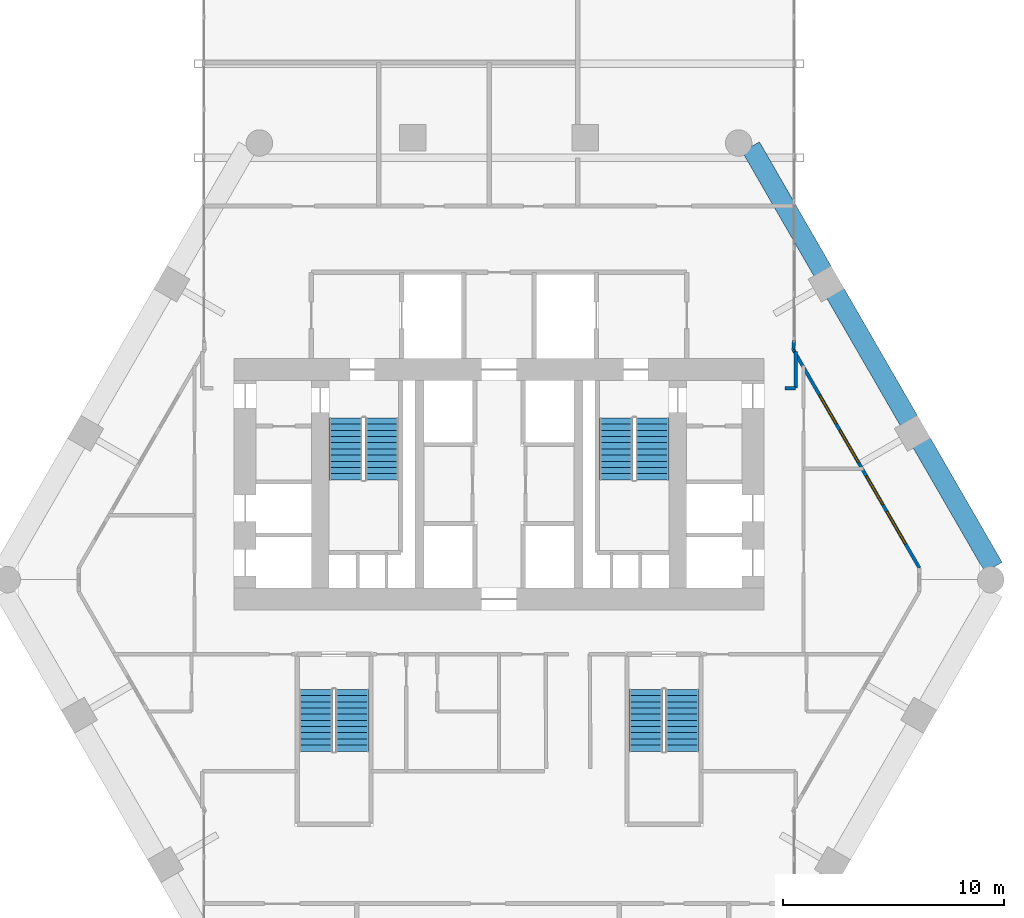
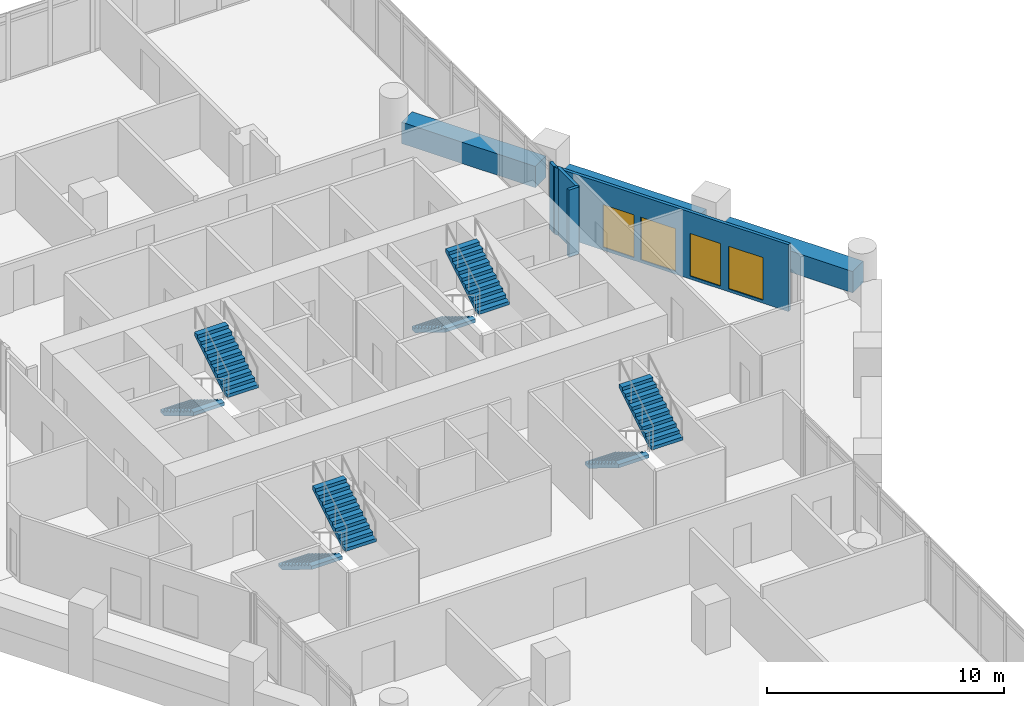
# One storey, part 27 of 28: 8 stair flights, 7 walls, 4 windows, 4 openings, 4 elements without a shape of their own.
"""IFC4 building model written with IfcOpenShell, lengths in metres."""

from ifc_helpers import new_model, si_unit, direction, frame, frame_2d, origin, place, context, subcontext, project, spatial, polyline, rectangle, outline, extrude, material, layer, layer_set, type_object, element, fill, aggregate, save


model = new_model("IFC4")

# Units and contexts
model_context = context("Model", 3, precision=1e-05, world=origin(), true_north=direction((0.0, 1.0)))
body_context = subcontext(model_context, "Body", "Model", "MODEL_VIEW")
ifc_project = project(units=[si_unit("LENGTHUNIT", "METRE"), si_unit("AREAUNIT", "SQUARE_METRE"), si_unit("VOLUMEUNIT", "CUBIC_METRE"), si_unit("PLANEANGLEUNIT", "RADIAN"), si_unit("MASSUNIT", "GRAM", prefix="KILO")], contexts=[model_context])

# Site, building, storey
site_placement = place(None, origin())
site = spatial("IfcSite", under=ifc_project, at=site_placement, CompositionType="ELEMENT")
building_placement = place(site_placement, origin())
building = spatial("IfcBuilding", under=site, at=building_placement, Name="Ostrander Bayou Hotel Tower", CompositionType="ELEMENT")
storey_placement = place(building_placement, frame((0.0, 0.0, 100.5)))
storey = spatial("IfcBuildingStorey", under=building, at=storey_placement, Name="L25", CompositionType="ELEMENT", Elevation=100.5)

# Wall, openings, windows
ifc_material_1 = material(Name="Aluminium framed insulated wall", Category="aluminium")
ifc_layer_1 = layer(ifc_material_1, 0.14990234375)
ifc_layer_set_1 = layer_set([ifc_layer_1], Name="GW1 glass-line wall 150 mm")
wall_type_1 = type_object("IfcWallType", Name="GW1 glass-line wall 150 mm", PredefinedType="SOLIDWALL", material=ifc_layer_set_1)
wall_1_placement = place(storey_placement, frame((19.046875, 0.205078125, 0.0), z_axis=(0.0, 0.0, 1.0), x_axis=(-0.499990645009, 0.866030804823, 0.0)))
wall_1 = element("IfcWall", 1, at=wall_1_placement, inside=storey, type_object=wall_type_1, Name="GW1 L25 NE 1", PredefinedType="SOLIDWALL", context=body_context, shape_type="SweptSolid", body=[
    extrude(rectangle(XDim=11.426025390625, YDim=0.14990234375, at=frame_2d((5.712890625, 0.0))), origin(), (0.0, 0.0, 1.0), 3.449951171875),
])
opening_1_placement = place(wall_1_placement, frame((1.24560546875, 0.0, 0.14990234375)))
opening_1 = element("IfcOpeningElement", 2, at=opening_1_placement, cuts=wall_1, Name="Opening W8", PredefinedType="OPENING", context=body_context, shape_type="SweptSolid", body=[
    extrude(rectangle(XDim=1.699951171875, YDim=2.199951171875, at=frame_2d((0.85009765625, 1.10009765625))), frame((0.0, 0.074951171875, 0.0), z_axis=(0.0, -1.0, 0.0), x_axis=(1.0, 0.0, 0.0)), (0.0, 0.0, 1.0), 0.14990234375),
])
opening_2_placement = place(wall_1_placement, frame((3.314208984375, 0.0, 0.14990234375)))
opening_2 = element("IfcOpeningElement", 3, at=opening_2_placement, cuts=wall_1, Name="Opening W12", PredefinedType="OPENING", context=body_context, shape_type="SweptSolid", body=[
    extrude(rectangle(XDim=1.5, YDim=2.199951171875, at=frame_2d((0.75, 1.10009765625))), frame((0.0, 0.074951171875, 0.0), z_axis=(0.0, -1.0, 0.0), x_axis=(1.0, 0.0, 0.0)), (0.0, 0.0, 1.0), 0.14990234375),
])
opening_3_placement = place(wall_1_placement, frame((5.51416015625, 0.0, 0.14990234375)))
opening_3 = element("IfcOpeningElement", 4, at=opening_3_placement, cuts=wall_1, Name="Opening W8", PredefinedType="OPENING", context=body_context, shape_type="SweptSolid", body=[
    extrude(rectangle(XDim=1.699951171875, YDim=2.199951171875, at=frame_2d((0.85009765625, 1.10009765625))), frame((0.0, 0.074951171875, 0.0), z_axis=(0.0, -1.0, 0.0), x_axis=(1.0, 0.0, 0.0)), (0.0, 0.0, 1.0), 0.14990234375),
])
opening_4_placement = place(wall_1_placement, frame((7.545654296875, 0.0, 0.14990234375)))
opening_4 = element("IfcOpeningElement", 5, at=opening_4_placement, cuts=wall_1, Name="Opening W12", PredefinedType="OPENING", context=body_context, shape_type="SweptSolid", body=[
    extrude(rectangle(XDim=1.5, YDim=2.199951171875, at=frame_2d((0.75, 1.10009765625))), frame((0.0, 0.074951171875, 0.0), z_axis=(0.0, -1.0, 0.0), x_axis=(1.0, 0.0, 0.0)), (0.0, 0.0, 1.0), 0.14990234375),
])
ifc_material_2 = material(Name="Aluminium and clear glass", Category="aluminium")
window_type_1 = type_object("IfcWindowType", Name="W12 fixed window 1500 mm, bath bay, zone 2", PartitioningType="SINGLE_PANEL", PredefinedType="WINDOW", material=ifc_material_2)
window_1_placement = place(opening_2_placement, origin())
window_1 = element("IfcWindow", 6, at=window_1_placement, inside=storey, type_object=window_type_1, Name="W12 L25 NE 1", OverallHeight=2.199951171875, OverallWidth=1.5, PartitioningType="SINGLE_PANEL", PredefinedType="WINDOW", context=body_context, shape_type="SweptSolid", body=[
    extrude(rectangle(XDim=1.5, YDim=2.199951171875, at=frame_2d((0.75, 1.10009765625))), frame((0.0, 0.030029296875, 0.0), z_axis=(0.0, -1.0, 0.0), x_axis=(1.0, 0.0, 0.0)), (0.0, 0.0, 1.0), 0.06005859375),
])
fill(opening_2, window_1)
window_2_placement = place(opening_4_placement, origin())
window_2 = element("IfcWindow", 7, at=window_2_placement, inside=storey, type_object=window_type_1, Name="W12 L25 NE 2", OverallHeight=2.199951171875, OverallWidth=1.5, PartitioningType="SINGLE_PANEL", PredefinedType="WINDOW", context=body_context, shape_type="SweptSolid", body=[
    extrude(rectangle(XDim=1.5, YDim=2.199951171875, at=frame_2d((0.75, 1.10009765625))), frame((0.0, 0.030029296875, 0.0), z_axis=(0.0, -1.0, 0.0), x_axis=(1.0, 0.0, 0.0)), (0.0, 0.0, 1.0), 0.06005859375),
])
fill(opening_4, window_2)
ifc_material_3 = material(Name="Aluminium and clear glass", Category="aluminium")
window_type_2 = type_object("IfcWindowType", Name="W8 fixed window 1700 mm, bar storeys, zone 2", PartitioningType="SINGLE_PANEL", PredefinedType="WINDOW", material=ifc_material_3)
window_3_placement = place(opening_1_placement, origin())
window_3 = element("IfcWindow", 8, at=window_3_placement, inside=storey, type_object=window_type_2, Name="W8 L25 NE 1", OverallHeight=2.199951171875, OverallWidth=1.699951171875, PartitioningType="SINGLE_PANEL", PredefinedType="WINDOW", context=body_context, shape_type="SweptSolid", body=[
    extrude(rectangle(XDim=1.699951171875, YDim=2.199951171875, at=frame_2d((0.85009765625, 1.10009765625))), frame((0.0, 0.030029296875, 0.0), z_axis=(0.0, -1.0, 0.0), x_axis=(1.0, 0.0, 0.0)), (0.0, 0.0, 1.0), 0.06005859375),
])
fill(opening_1, window_3)
window_4_placement = place(opening_3_placement, origin())
window_4 = element("IfcWindow", 9, at=window_4_placement, inside=storey, type_object=window_type_2, Name="W8 L25 NE 2", OverallHeight=2.199951171875, OverallWidth=1.699951171875, PartitioningType="SINGLE_PANEL", PredefinedType="WINDOW", context=body_context, shape_type="SweptSolid", body=[
    extrude(rectangle(XDim=1.699951171875, YDim=2.199951171875, at=frame_2d((0.85009765625, 1.10009765625))), frame((0.0, 0.030029296875, 0.0), z_axis=(0.0, -1.0, 0.0), x_axis=(1.0, 0.0, 0.0)), (0.0, 0.0, 1.0), 0.06005859375),
])
fill(opening_3, window_4)

# Walls
wall_2_placement = place(storey_placement, frame((13.333984375, 10.100341796875, 0.0), z_axis=(0.0, 0.0, 1.0), x_axis=(0.078869316502, 0.996884963732, 0.0)))
element("IfcWall", 10, at=wall_2_placement, inside=storey, type_object=wall_type_1, Name="GW1 L25 bar joint 4", PredefinedType="SOLIDWALL", context=body_context, shape_type="SweptSolid", body=[
    extrude(rectangle(XDim=0.4208984375, YDim=0.14990234375, at=frame_2d((0.21044921875, 0.0))), origin(), (0.0, 0.0, 1.0), 3.449951171875),
])
ifc_material_4 = material(Name="Concrete f'c 40 MPa", Category="concrete")
ifc_layer_2 = layer(ifc_material_4, 0.89990234375)
ifc_layer_set_2 = layer_set([ifc_layer_2], Name="PA1 stone-faced parapet 900 mm")
wall_type_2 = type_object("IfcWallType", Name="PA1 stone-faced parapet 900 mm", PredefinedType="PARAPET", material=ifc_layer_set_2)
wall_3_placement = place(storey_placement, frame((22.406494140625, 0.236328125, 0.0), z_axis=(0.0, 0.0, 1.0), x_axis=(-0.500000042739, 0.866025379109, 0.0)))
element("IfcWall", 11, at=wall_3_placement, inside=storey, type_object=wall_type_2, Name="PA1 L25 NE-1", PredefinedType="PARAPET", context=body_context, shape_type="SweptSolid", body=[
    extrude(rectangle(XDim=6.52197265625, YDim=0.89990234375, at=frame_2d((3.260986328125, 0.0))), origin(), (0.0, 0.0, 1.0), 1.10009765625),
])
wall_4_placement = place(storey_placement, frame((18.575439453125, 6.87158203125, 0.0), z_axis=(0.0, 0.0, 1.0), x_axis=(-0.499999023957, 0.866025967302, 0.0)))
element("IfcWall", 12, at=wall_4_placement, inside=storey, type_object=wall_type_2, Name="PA1 L25 NE-2", PredefinedType="PARAPET", context=body_context, shape_type="SweptSolid", body=[
    extrude(rectangle(XDim=6.67333984375, YDim=0.89990234375, at=frame_2d((3.336669921875, 0.0))), origin(), (0.0, 0.0, 1.0), 1.10009765625),
])
wall_5_placement = place(storey_placement, frame((14.668701171875, 13.63818359375, 0.0), z_axis=(0.0, 0.0, 1.0), x_axis=(-0.499971966783, 0.866041588165, 0.0)))
element("IfcWall", 13, at=wall_5_placement, inside=storey, type_object=wall_type_2, Name="PA1 L25 NE-3", PredefinedType="PARAPET", context=body_context, shape_type="SweptSolid", body=[
    extrude(rectangle(XDim=6.521728515625, YDim=0.89990234375, at=frame_2d((3.2607421875, 0.0))), origin(), (0.0, 0.0, 1.0), 1.10009765625),
])
ifc_material_5 = material(Name="Gypsum board partition", Category="finish")
ifc_layer_3 = layer(ifc_material_5, 0.14990234375)
ifc_layer_set_3 = layer_set([ifc_layer_3], Name="PT8 service band wall 150 mm, 1 hour")
wall_type_3 = type_object("IfcWallType", Name="PT8 service band wall 150 mm, 1 hour", PredefinedType="PARTITIONING", material=ifc_layer_set_3)
wall_6_placement = place(storey_placement, frame((12.949951171875, 8.35498046875, 0.0), z_axis=(0.0, 0.0, 1.0), x_axis=(1.0, 0.0, 0.0)))
element("IfcWall", 14, at=wall_6_placement, inside=storey, type_object=wall_type_3, Name="gw:L25:014", PredefinedType="PARTITIONING", context=body_context, shape_type="SweptSolid", body=[
    extrude(rectangle(XDim=0.489990234375, YDim=0.14990234375, at=frame_2d((0.2451171875, 0.0))), origin(), (0.0, 0.0, 1.0), 3.449951171875),
])
wall_7_placement = place(storey_placement, frame((13.43994140625, 8.35498046875, 0.0), z_axis=(0.0, 0.0, 1.0), x_axis=(0.0, 1.0, 0.0)))
element("IfcWall", 15, at=wall_7_placement, inside=storey, type_object=wall_type_3, Name="gw:L25:018", PredefinedType="PARTITIONING", context=body_context, shape_type="SweptSolid", body=[
    extrude(rectangle(XDim=1.652099609375, YDim=0.14990234375, at=frame_2d((0.826171875, 0.0))), origin(), (0.0, 0.0, 1.0), 3.449951171875),
])

# Stair, stair flights
ifc_material_6 = material(Name="Concrete f'c 45 MPa", Category="concrete")
stair_type = type_object("IfcStairType", Name="ST1 exit stair 1500 mm f'c 45 MPa", PredefinedType="HALF_TURN_STAIR", material=ifc_material_6)
stair_1_placement = place(storey_placement, origin())
stair_1 = element("IfcStair", 16, at=stair_1_placement, inside=storey, type_object=stair_type, Name="L25 exit stair A", PredefinedType="HALF_TURN_STAIR")
ifc_material_7 = material(Name="Concrete f'c 45 MPa", Category="concrete")
stair_flight_type = type_object("IfcStairFlightType", Name="SF1 stair flight 1500 mm f'c 45 MPa", PredefinedType="STRAIGHT", material=ifc_material_7)
stair_flight_1_placement = place(storey_placement, frame((-6.949951171875, 7.0, 0.0), z_axis=(0.0, 0.0, 1.0), x_axis=(0.0, -1.0, 0.0)))
stair_flight_1 = element("IfcStairFlight", 17, at=stair_flight_1_placement, type_object=stair_flight_type, Name="STA flight 1", NumberOfRisers=11, NumberOfTreads=10, PredefinedType="STRAIGHT", RiserHeight=0.170454545, TreadLength=0.28, context=body_context, shape_type="SweptSolid", body=[
    extrude(outline(polyline([(0.0, 0.0), (0.0, 0.17041015625), (0.280029296875, 0.17041015625), (0.280029296875, 0.3408203125), (0.56005859375, 0.3408203125), (0.56005859375, 0.511474609375), (0.840087890625, 0.511474609375), (0.840087890625, 0.681884765625), (1.1201171875, 0.681884765625), (1.1201171875, 0.852294921875), (1.39990234375, 0.852294921875), (1.39990234375, 1.022705078125), (1.679931640625, 1.022705078125), (1.679931640625, 1.193115234375), (1.9599609375, 1.193115234375), (1.9599609375, 1.363525390625), (2.239990234375, 1.363525390625), (2.239990234375, 1.5341796875), (2.52001953125, 1.5341796875), (2.52001953125, 1.70458984375), (2.800048828125, 1.70458984375), (2.800048828125, 1.875), (2.800048828125, 1.529052734375), (0.288330078125, 0.0), (0.0, 0.0)])), frame((0.0, 0.75, 0.0), z_axis=(0.0, -1.0, 0.0), x_axis=(1.0, 0.0, 0.0)), (0.0, 0.0, 1.0), 1.5),
])
stair_flight_2_placement = place(storey_placement, frame((-5.300048828125, 4.199951171875, 1.875), z_axis=(0.0, 0.0, 1.0), x_axis=(0.0, 1.0, 0.0)))
stair_flight_2 = element("IfcStairFlight", 18, at=stair_flight_2_placement, type_object=stair_flight_type, Name="STA flight 2", NumberOfRisers=11, NumberOfTreads=10, PredefinedType="STRAIGHT", RiserHeight=0.170454545, TreadLength=0.28, context=body_context, shape_type="SweptSolid", body=[
    extrude(outline(polyline([(0.0, 0.0), (0.0, 0.17041015625), (0.280029296875, 0.17041015625), (0.280029296875, 0.3408203125), (0.56005859375, 0.3408203125), (0.56005859375, 0.511474609375), (0.840087890625, 0.511474609375), (0.840087890625, 0.681884765625), (1.1201171875, 0.681884765625), (1.1201171875, 0.852294921875), (1.39990234375, 0.852294921875), (1.39990234375, 1.022705078125), (1.679931640625, 1.022705078125), (1.679931640625, 1.193115234375), (1.9599609375, 1.193115234375), (1.9599609375, 1.363525390625), (2.239990234375, 1.363525390625), (2.239990234375, 1.5341796875), (2.52001953125, 1.5341796875), (2.52001953125, 1.70458984375), (2.800048828125, 1.70458984375), (2.800048828125, 1.875), (2.800048828125, 1.529052734375), (0.288330078125, 0.0), (0.0, 0.0)])), frame((0.0, 0.75, 0.0), z_axis=(0.0, -1.0, 0.0), x_axis=(1.0, 0.0, 0.0)), (0.0, 0.0, 1.0), 1.5),
])
aggregate(stair_1, [stair_flight_1, stair_flight_2])

stair_2_placement = place(storey_placement, origin())
stair_2 = element("IfcStair", 19, at=stair_2_placement, inside=storey, type_object=stair_type, Name="L25 exit stair B", PredefinedType="HALF_TURN_STAIR")
stair_flight_3_placement = place(storey_placement, frame((5.300048828125, 7.0, 0.0), z_axis=(0.0, 0.0, 1.0), x_axis=(0.0, -1.0, 0.0)))
stair_flight_3 = element("IfcStairFlight", 20, at=stair_flight_3_placement, type_object=stair_flight_type, Name="STB flight 1", NumberOfRisers=11, NumberOfTreads=10, PredefinedType="STRAIGHT", RiserHeight=0.170454545, TreadLength=0.28, context=body_context, shape_type="SweptSolid", body=[
    extrude(outline(polyline([(0.0, 0.0), (0.0, 0.17041015625), (0.280029296875, 0.17041015625), (0.280029296875, 0.3408203125), (0.56005859375, 0.3408203125), (0.56005859375, 0.511474609375), (0.840087890625, 0.511474609375), (0.840087890625, 0.681884765625), (1.1201171875, 0.681884765625), (1.1201171875, 0.852294921875), (1.39990234375, 0.852294921875), (1.39990234375, 1.022705078125), (1.679931640625, 1.022705078125), (1.679931640625, 1.193115234375), (1.9599609375, 1.193115234375), (1.9599609375, 1.363525390625), (2.239990234375, 1.363525390625), (2.239990234375, 1.5341796875), (2.52001953125, 1.5341796875), (2.52001953125, 1.70458984375), (2.800048828125, 1.70458984375), (2.800048828125, 1.875), (2.800048828125, 1.529052734375), (0.288330078125, 0.0), (0.0, 0.0)])), frame((0.0, 0.75, 0.0), z_axis=(0.0, -1.0, 0.0), x_axis=(1.0, 0.0, 0.0)), (0.0, 0.0, 1.0), 1.5),
])
stair_flight_4_placement = place(storey_placement, frame((6.949951171875, 4.199951171875, 1.875), z_axis=(0.0, 0.0, 1.0), x_axis=(0.0, 1.0, 0.0)))
stair_flight_4 = element("IfcStairFlight", 21, at=stair_flight_4_placement, type_object=stair_flight_type, Name="STB flight 2", NumberOfRisers=11, NumberOfTreads=10, PredefinedType="STRAIGHT", RiserHeight=0.170454545, TreadLength=0.28, context=body_context, shape_type="SweptSolid", body=[
    extrude(outline(polyline([(0.0, 0.0), (0.0, 0.17041015625), (0.280029296875, 0.17041015625), (0.280029296875, 0.3408203125), (0.56005859375, 0.3408203125), (0.56005859375, 0.511474609375), (0.840087890625, 0.511474609375), (0.840087890625, 0.681884765625), (1.1201171875, 0.681884765625), (1.1201171875, 0.852294921875), (1.39990234375, 0.852294921875), (1.39990234375, 1.022705078125), (1.679931640625, 1.022705078125), (1.679931640625, 1.193115234375), (1.9599609375, 1.193115234375), (1.9599609375, 1.363525390625), (2.239990234375, 1.363525390625), (2.239990234375, 1.5341796875), (2.52001953125, 1.5341796875), (2.52001953125, 1.70458984375), (2.800048828125, 1.70458984375), (2.800048828125, 1.875), (2.800048828125, 1.529052734375), (0.288330078125, 0.0), (0.0, 0.0)])), frame((0.0, 0.75, 0.0), z_axis=(0.0, -1.0, 0.0), x_axis=(1.0, 0.0, 0.0)), (0.0, 0.0, 1.0), 1.5),
])
aggregate(stair_2, [stair_flight_3, stair_flight_4])

stair_3_placement = place(storey_placement, origin())
stair_3 = element("IfcStair", 22, at=stair_3_placement, inside=storey, type_object=stair_type, Name="L25 exit stair C", PredefinedType="HALF_TURN_STAIR")
stair_flight_5_placement = place(storey_placement, frame((6.64990234375, -5.300048828125, 0.0), z_axis=(0.0, 0.0, 1.0), x_axis=(0.0, -1.0, 0.0)))
stair_flight_5 = element("IfcStairFlight", 23, at=stair_flight_5_placement, type_object=stair_flight_type, Name="STC flight 1", NumberOfRisers=11, NumberOfTreads=10, PredefinedType="STRAIGHT", RiserHeight=0.170454545, TreadLength=0.28, context=body_context, shape_type="SweptSolid", body=[
    extrude(outline(polyline([(0.0, 0.0), (0.0, 0.17041015625), (0.280029296875, 0.17041015625), (0.280029296875, 0.3408203125), (0.56005859375, 0.3408203125), (0.56005859375, 0.511474609375), (0.840087890625, 0.511474609375), (0.840087890625, 0.681884765625), (1.1201171875, 0.681884765625), (1.1201171875, 0.852294921875), (1.39990234375, 0.852294921875), (1.39990234375, 1.022705078125), (1.679931640625, 1.022705078125), (1.679931640625, 1.193115234375), (1.9599609375, 1.193115234375), (1.9599609375, 1.363525390625), (2.239990234375, 1.363525390625), (2.239990234375, 1.5341796875), (2.52001953125, 1.5341796875), (2.52001953125, 1.70458984375), (2.800048828125, 1.70458984375), (2.800048828125, 1.875), (2.800048828125, 1.529052734375), (0.288330078125, 0.0), (0.0, 0.0)])), frame((0.0, 0.75, 0.0), z_axis=(0.0, -1.0, 0.0), x_axis=(1.0, 0.0, 0.0)), (0.0, 0.0, 1.0), 1.5),
])
stair_flight_6_placement = place(storey_placement, frame((8.300048828125, -8.10009765625, 1.875), z_axis=(0.0, 0.0, 1.0), x_axis=(0.0, 1.0, 0.0)))
stair_flight_6 = element("IfcStairFlight", 24, at=stair_flight_6_placement, type_object=stair_flight_type, Name="STC flight 2", NumberOfRisers=11, NumberOfTreads=10, PredefinedType="STRAIGHT", RiserHeight=0.170454545, TreadLength=0.28, context=body_context, shape_type="SweptSolid", body=[
    extrude(outline(polyline([(0.0, 0.0), (0.0, 0.17041015625), (0.280029296875, 0.17041015625), (0.280029296875, 0.3408203125), (0.56005859375, 0.3408203125), (0.56005859375, 0.511474609375), (0.840087890625, 0.511474609375), (0.840087890625, 0.681884765625), (1.1201171875, 0.681884765625), (1.1201171875, 0.852294921875), (1.39990234375, 0.852294921875), (1.39990234375, 1.022705078125), (1.679931640625, 1.022705078125), (1.679931640625, 1.193115234375), (1.9599609375, 1.193115234375), (1.9599609375, 1.363525390625), (2.239990234375, 1.363525390625), (2.239990234375, 1.5341796875), (2.52001953125, 1.5341796875), (2.52001953125, 1.70458984375), (2.800048828125, 1.70458984375), (2.800048828125, 1.875), (2.800048828125, 1.529052734375), (0.288330078125, 0.0), (0.0, 0.0)])), frame((0.0, 0.75, 0.0), z_axis=(0.0, -1.0, 0.0), x_axis=(1.0, 0.0, 0.0)), (0.0, 0.0, 1.0), 1.5),
])
aggregate(stair_3, [stair_flight_5, stair_flight_6])

stair_4_placement = place(storey_placement, origin())
stair_4 = element("IfcStair", 25, at=stair_4_placement, inside=storey, type_object=stair_type, Name="L25 exit stair D", PredefinedType="HALF_TURN_STAIR")
stair_flight_7_placement = place(storey_placement, frame((-8.300048828125, -5.300048828125, 0.0), z_axis=(0.0, 0.0, 1.0), x_axis=(0.0, -1.0, 0.0)))
stair_flight_7 = element("IfcStairFlight", 26, at=stair_flight_7_placement, type_object=stair_flight_type, Name="STD flight 1", NumberOfRisers=11, NumberOfTreads=10, PredefinedType="STRAIGHT", RiserHeight=0.170454545, TreadLength=0.28, context=body_context, shape_type="SweptSolid", body=[
    extrude(outline(polyline([(0.0, 0.0), (0.0, 0.17041015625), (0.280029296875, 0.17041015625), (0.280029296875, 0.3408203125), (0.56005859375, 0.3408203125), (0.56005859375, 0.511474609375), (0.840087890625, 0.511474609375), (0.840087890625, 0.681884765625), (1.1201171875, 0.681884765625), (1.1201171875, 0.852294921875), (1.39990234375, 0.852294921875), (1.39990234375, 1.022705078125), (1.679931640625, 1.022705078125), (1.679931640625, 1.193115234375), (1.9599609375, 1.193115234375), (1.9599609375, 1.363525390625), (2.239990234375, 1.363525390625), (2.239990234375, 1.5341796875), (2.52001953125, 1.5341796875), (2.52001953125, 1.70458984375), (2.800048828125, 1.70458984375), (2.800048828125, 1.875), (2.800048828125, 1.529052734375), (0.288330078125, 0.0), (0.0, 0.0)])), frame((0.0, 0.75, 0.0), z_axis=(0.0, -1.0, 0.0), x_axis=(1.0, 0.0, 0.0)), (0.0, 0.0, 1.0), 1.5),
])
stair_flight_8_placement = place(storey_placement, frame((-6.64990234375, -8.10009765625, 1.875), z_axis=(0.0, 0.0, 1.0), x_axis=(0.0, 1.0, 0.0)))
stair_flight_8 = element("IfcStairFlight", 27, at=stair_flight_8_placement, type_object=stair_flight_type, Name="STD flight 2", NumberOfRisers=11, NumberOfTreads=10, PredefinedType="STRAIGHT", RiserHeight=0.170454545, TreadLength=0.28, context=body_context, shape_type="SweptSolid", body=[
    extrude(outline(polyline([(0.0, 0.0), (0.0, 0.17041015625), (0.280029296875, 0.17041015625), (0.280029296875, 0.3408203125), (0.56005859375, 0.3408203125), (0.56005859375, 0.511474609375), (0.840087890625, 0.511474609375), (0.840087890625, 0.681884765625), (1.1201171875, 0.681884765625), (1.1201171875, 0.852294921875), (1.39990234375, 0.852294921875), (1.39990234375, 1.022705078125), (1.679931640625, 1.022705078125), (1.679931640625, 1.193115234375), (1.9599609375, 1.193115234375), (1.9599609375, 1.363525390625), (2.239990234375, 1.363525390625), (2.239990234375, 1.5341796875), (2.52001953125, 1.5341796875), (2.52001953125, 1.70458984375), (2.800048828125, 1.70458984375), (2.800048828125, 1.875), (2.800048828125, 1.529052734375), (0.288330078125, 0.0), (0.0, 0.0)])), frame((0.0, 0.75, 0.0), z_axis=(0.0, -1.0, 0.0), x_axis=(1.0, 0.0, 0.0)), (0.0, 0.0, 1.0), 1.5),
])
aggregate(stair_4, [stair_flight_7, stair_flight_8])

save(model, "model.ifc")
